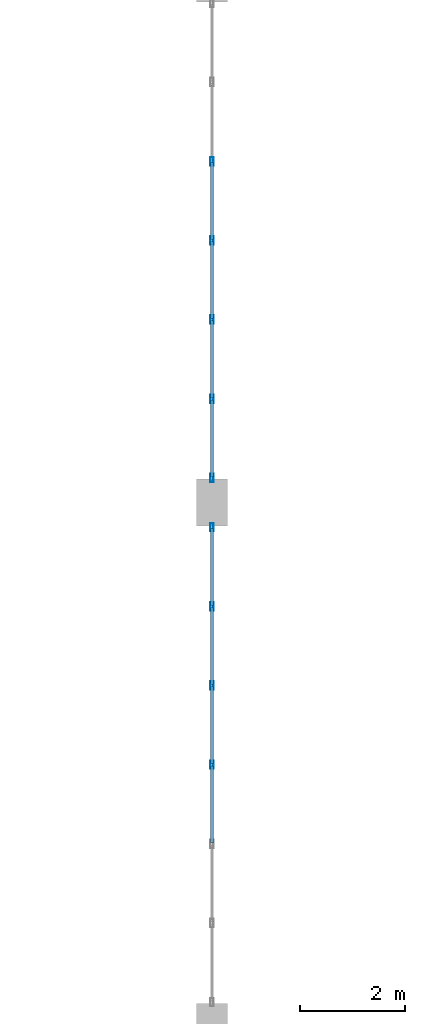
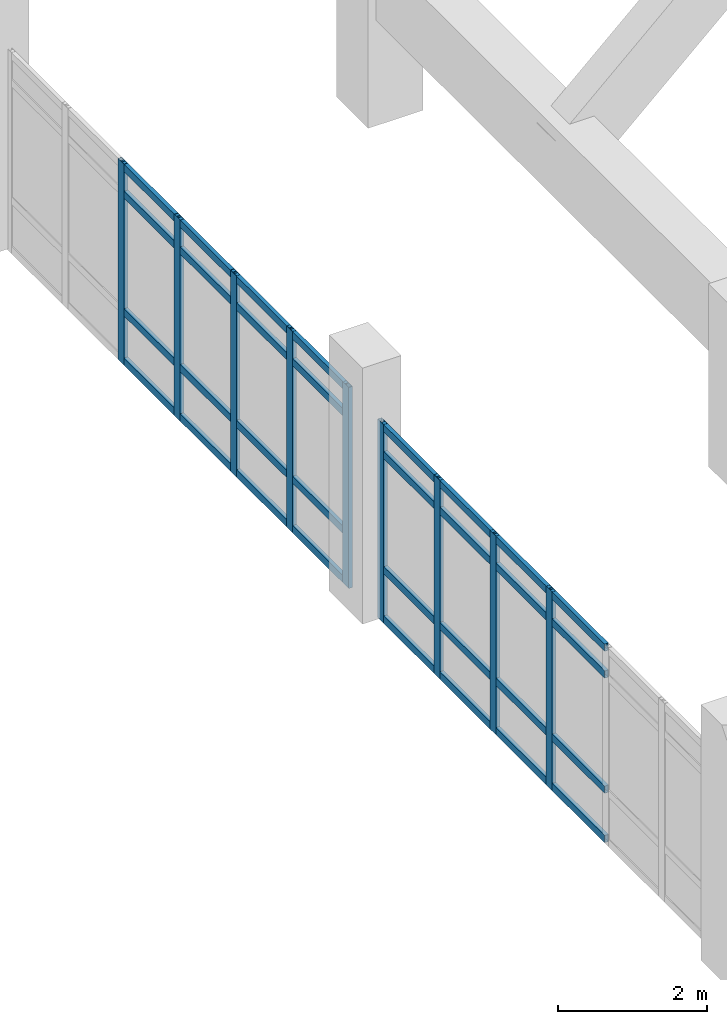
# One storey, part 15 of 111: 41 members, 2 elements without a shape of their own.
"""IFC4 building model written with IfcOpenShell, lengths in metres."""

from ifc_helpers import new_model, si_unit, direction, frame, origin, origin_2d, place, context, subcontext, project, spatial, hollow_rectangle, extrude, material, layer, layer_set, material_profile, profile_set, type_object, element, aggregate, save


model = new_model("IFC4")

# Units and contexts
model_context = context("Model", 3, precision=1e-05, world=origin(), true_north=direction((0.0, 1.0)))
body_context = subcontext(model_context, "Body", "Model", "MODEL_VIEW")
ifc_project = project(units=[si_unit("LENGTHUNIT", "METRE"), si_unit("AREAUNIT", "SQUARE_METRE"), si_unit("VOLUMEUNIT", "CUBIC_METRE"), si_unit("PLANEANGLEUNIT", "RADIAN"), si_unit("MASSUNIT", "GRAM", prefix="KILO")], contexts=[model_context])

# Site, building, storey
site_placement = place(None, origin())
site = spatial("IfcSite", under=ifc_project, at=site_placement, CompositionType="ELEMENT")
building_placement = place(site_placement, origin())
building = spatial("IfcBuilding", under=site, at=building_placement, Name="Mersad Railyard Sports Hall", CompositionType="ELEMENT")
storey_placement = place(building_placement, frame((0.0, 0.0, 9.0)))
storey = spatial("IfcBuildingStorey", under=building, at=storey_placement, Name="L02", CompositionType="ELEMENT", Elevation=9.0)

# Curtain wall, members
ifc_material = material(Name="Aluminium 6063-T6", Category="aluminium")
ifc_layer_1 = layer(ifc_material, 0.159912109375)
ifc_layer_set_1 = layer_set([ifc_layer_1], Name="Aluminium 6063-T6")
curtain_wall_type_1 = type_object("IfcCurtainWallType", Name="ARC-CW-CW16", PredefinedType="USERDEFINED", material=ifc_layer_set_1)
curtain_wall_1_placement = place(storey_placement, origin())
curtain_wall_1 = element("IfcCurtainWall", 1, at=curtain_wall_1_placement, inside=storey, type_object=curtain_wall_type_1, Name="Curtain wall CW16-0067", ObjectType="CURTAIN WALL", PredefinedType="USERDEFINED")
ifc_material_profile_1 = material_profile(ifc_material, hollow_rectangle(XDim=0.06005859375, YDim=0.159912109375, WallThickness=0.00390625, at=origin_2d()), Name="AL MULLION 60x160x4")
ifc_profile_set_1 = profile_set([ifc_material_profile_1], Name="Aluminium 6063-T6")
member_type_1 = type_object("IfcMemberType", Name="ARC-CW-MUL01", PredefinedType="MULLION", material=ifc_profile_set_1)
member_1_placement = place(storey_placement, frame((131.0, 18.5, -0.02001953125), z_axis=(0.0, 0.0, 1.0), x_axis=(1.0, 0.0, 0.0)))
member_1 = element("IfcMember", 2, at=member_1_placement, type_object=member_type_1, Name="CW16 Mullion 4", PredefinedType="MULLION", context=body_context, shape_type="SweptSolid", body=[
    extrude(hollow_rectangle(XDim=0.06005859375, YDim=0.159912109375, WallThickness=0.00390625, at=origin_2d()), origin(), (0.0, 0.0, 1.0), 3.260009765625),
])
member_2_placement = place(storey_placement, frame((131.0, 20.010009765625, -0.02001953125), z_axis=(0.0, 0.0, 1.0), x_axis=(1.0, 0.0, 0.0)))
member_2 = element("IfcMember", 3, at=member_2_placement, type_object=member_type_1, Name="CW16 Mullion 5", PredefinedType="MULLION", context=body_context, shape_type="SweptSolid", body=[
    extrude(hollow_rectangle(XDim=0.06005859375, YDim=0.159912109375, WallThickness=0.00390625, at=origin_2d()), origin(), (0.0, 0.0, 1.0), 3.260009765625),
])
member_3_placement = place(storey_placement, frame((131.0, 21.52001953125, -0.02001953125), z_axis=(0.0, 0.0, 1.0), x_axis=(1.0, 0.0, 0.0)))
member_3 = element("IfcMember", 4, at=member_3_placement, type_object=member_type_1, Name="CW16 Mullion 6", PredefinedType="MULLION", context=body_context, shape_type="SweptSolid", body=[
    extrude(hollow_rectangle(XDim=0.06005859375, YDim=0.159912109375, WallThickness=0.00390625, at=origin_2d()), origin(), (0.0, 0.0, 1.0), 3.260009765625),
])
member_4_placement = place(storey_placement, frame((131.0, 23.030029296875, -0.02001953125), z_axis=(0.0, 0.0, 1.0), x_axis=(1.0, 0.0, 0.0)))
member_4 = element("IfcMember", 5, at=member_4_placement, type_object=member_type_1, Name="CW16 Mullion 7", PredefinedType="MULLION", context=body_context, shape_type="SweptSolid", body=[
    extrude(hollow_rectangle(XDim=0.06005859375, YDim=0.159912109375, WallThickness=0.00390625, at=origin_2d()), origin(), (0.0, 0.0, 1.0), 3.260009765625),
])

ifc_layer_2 = layer(ifc_material, 0.159912109375)
ifc_layer_set_2 = layer_set([ifc_layer_2], Name="Aluminium 6063-T6")
curtain_wall_type_2 = type_object("IfcCurtainWallType", Name="ARC-CW-CW17", PredefinedType="USERDEFINED", material=ifc_layer_set_2)
curtain_wall_2_placement = place(storey_placement, origin())
curtain_wall_2 = element("IfcCurtainWall", 6, at=curtain_wall_2_placement, inside=storey, type_object=curtain_wall_type_2, Name="Curtain wall CW17-0069", ObjectType="CURTAIN WALL", PredefinedType="USERDEFINED")
member_5_placement = place(storey_placement, frame((131.0, 23.969970703125, -0.02001953125), z_axis=(0.0, 0.0, 1.0), x_axis=(1.0, 0.0, 0.0)))
member_5 = element("IfcMember", 7, at=member_5_placement, type_object=member_type_1, Name="CW17 Mullion 1", PredefinedType="MULLION", context=body_context, shape_type="SweptSolid", body=[
    extrude(hollow_rectangle(XDim=0.06005859375, YDim=0.159912109375, WallThickness=0.00390625, at=origin_2d()), origin(), (0.0, 0.0, 1.0), 3.300048828125),
])
member_6_placement = place(storey_placement, frame((131.0, 25.47998046875, -0.02001953125), z_axis=(0.0, 0.0, 1.0), x_axis=(1.0, 0.0, 0.0)))
member_6 = element("IfcMember", 8, at=member_6_placement, type_object=member_type_1, Name="CW17 Mullion 2", PredefinedType="MULLION", context=body_context, shape_type="SweptSolid", body=[
    extrude(hollow_rectangle(XDim=0.06005859375, YDim=0.159912109375, WallThickness=0.00390625, at=origin_2d()), origin(), (0.0, 0.0, 1.0), 3.300048828125),
])
member_7_placement = place(storey_placement, frame((131.0, 26.989990234375, -0.02001953125), z_axis=(0.0, 0.0, 1.0), x_axis=(1.0, 0.0, 0.0)))
member_7 = element("IfcMember", 9, at=member_7_placement, type_object=member_type_1, Name="CW17 Mullion 3", PredefinedType="MULLION", context=body_context, shape_type="SweptSolid", body=[
    extrude(hollow_rectangle(XDim=0.06005859375, YDim=0.159912109375, WallThickness=0.00390625, at=origin_2d()), origin(), (0.0, 0.0, 1.0), 3.300048828125),
])
member_8_placement = place(storey_placement, frame((131.0, 28.5, -0.02001953125), z_axis=(0.0, 0.0, 1.0), x_axis=(1.0, 0.0, 0.0)))
member_8 = element("IfcMember", 10, at=member_8_placement, type_object=member_type_1, Name="CW17 Mullion 4", PredefinedType="MULLION", context=body_context, shape_type="SweptSolid", body=[
    extrude(hollow_rectangle(XDim=0.06005859375, YDim=0.159912109375, WallThickness=0.00390625, at=origin_2d()), origin(), (0.0, 0.0, 1.0), 3.300048828125),
])
member_9_placement = place(storey_placement, frame((131.0, 30.010009765625, -0.02001953125), z_axis=(0.0, 0.0, 1.0), x_axis=(1.0, 0.0, 0.0)))
member_9 = element("IfcMember", 11, at=member_9_placement, type_object=member_type_1, Name="CW17 Mullion 5", PredefinedType="MULLION", context=body_context, shape_type="SweptSolid", body=[
    extrude(hollow_rectangle(XDim=0.06005859375, YDim=0.159912109375, WallThickness=0.00390625, at=origin_2d()), origin(), (0.0, 0.0, 1.0), 3.300048828125),
])

# Member
ifc_material_profile_2 = material_profile(ifc_material, hollow_rectangle(XDim=0.06005859375, YDim=0.1201171875, WallThickness=0.00390625, at=origin_2d()), Name="AL TRANSOM 60x120x4")
ifc_profile_set_2 = profile_set([ifc_material_profile_2], Name="Aluminium 6063-T6")
member_type_2 = type_object("IfcMemberType", Name="ARC-CW-TRN01", PredefinedType="USERDEFINED", material=ifc_profile_set_2)
member_10_placement = place(storey_placement, frame((131.0, 17.010009765625, 0.0400390625), z_axis=(0.0, 1.0, 0.0), x_axis=(-1.0, 0.0, 0.0)))
member_10 = element("IfcMember", 12, at=member_10_placement, type_object=member_type_2, Name="CW16 Transom 1-3", ObjectType="TRANSOM", PredefinedType="USERDEFINED", context=body_context, shape_type="SweptSolid", body=[
    extrude(hollow_rectangle(XDim=0.06005859375, YDim=0.1201171875, WallThickness=0.00390625, at=origin_2d()), origin(), (0.0, 0.0, 1.0), 1.469970703125),
])

member_11_placement = place(storey_placement, frame((131.0, 18.52001953125, 0.0400390625), z_axis=(0.0, 1.0, 0.0), x_axis=(-1.0, 0.0, 0.0)))
member_11 = element("IfcMember", 13, at=member_11_placement, type_object=member_type_2, Name="CW16 Transom 1-4", ObjectType="TRANSOM", PredefinedType="USERDEFINED", context=body_context, shape_type="SweptSolid", body=[
    extrude(hollow_rectangle(XDim=0.06005859375, YDim=0.1201171875, WallThickness=0.00390625, at=origin_2d()), origin(), (0.0, 0.0, 1.0), 1.469970703125),
])

member_12_placement = place(storey_placement, frame((131.0, 20.030029296875, 0.0400390625), z_axis=(0.0, 1.0, 0.0), x_axis=(-1.0, 0.0, 0.0)))
member_12 = element("IfcMember", 14, at=member_12_placement, type_object=member_type_2, Name="CW16 Transom 1-5", ObjectType="TRANSOM", PredefinedType="USERDEFINED", context=body_context, shape_type="SweptSolid", body=[
    extrude(hollow_rectangle(XDim=0.06005859375, YDim=0.1201171875, WallThickness=0.00390625, at=origin_2d()), origin(), (0.0, 0.0, 1.0), 1.469970703125),
])

member_13_placement = place(storey_placement, frame((131.0, 21.5400390625, 0.0400390625), z_axis=(0.0, 1.0, 0.0), x_axis=(-1.0, 0.0, 0.0)))
member_13 = element("IfcMember", 15, at=member_13_placement, type_object=member_type_2, Name="CW16 Transom 1-6", ObjectType="TRANSOM", PredefinedType="USERDEFINED", context=body_context, shape_type="SweptSolid", body=[
    extrude(hollow_rectangle(XDim=0.06005859375, YDim=0.1201171875, WallThickness=0.00390625, at=origin_2d()), origin(), (0.0, 0.0, 1.0), 1.469970703125),
])

member_14_placement = place(storey_placement, frame((131.0, 17.010009765625, 0.85009765625), z_axis=(0.0, 1.0, 0.0), x_axis=(-1.0, 0.0, 0.0)))
member_14 = element("IfcMember", 16, at=member_14_placement, type_object=member_type_2, Name="CW16 Transom 2-3", ObjectType="TRANSOM", PredefinedType="USERDEFINED", context=body_context, shape_type="SweptSolid", body=[
    extrude(hollow_rectangle(XDim=0.06005859375, YDim=0.1201171875, WallThickness=0.00390625, at=origin_2d()), origin(), (0.0, 0.0, 1.0), 1.469970703125),
])

member_15_placement = place(storey_placement, frame((131.0, 18.52001953125, 0.85009765625), z_axis=(0.0, 1.0, 0.0), x_axis=(-1.0, 0.0, 0.0)))
member_15 = element("IfcMember", 17, at=member_15_placement, type_object=member_type_2, Name="CW16 Transom 2-4", ObjectType="TRANSOM", PredefinedType="USERDEFINED", context=body_context, shape_type="SweptSolid", body=[
    extrude(hollow_rectangle(XDim=0.06005859375, YDim=0.1201171875, WallThickness=0.00390625, at=origin_2d()), origin(), (0.0, 0.0, 1.0), 1.469970703125),
])

member_16_placement = place(storey_placement, frame((131.0, 20.030029296875, 0.85009765625), z_axis=(0.0, 1.0, 0.0), x_axis=(-1.0, 0.0, 0.0)))
member_16 = element("IfcMember", 18, at=member_16_placement, type_object=member_type_2, Name="CW16 Transom 2-5", ObjectType="TRANSOM", PredefinedType="USERDEFINED", context=body_context, shape_type="SweptSolid", body=[
    extrude(hollow_rectangle(XDim=0.06005859375, YDim=0.1201171875, WallThickness=0.00390625, at=origin_2d()), origin(), (0.0, 0.0, 1.0), 1.469970703125),
])

member_17_placement = place(storey_placement, frame((131.0, 21.5400390625, 0.85009765625), z_axis=(0.0, 1.0, 0.0), x_axis=(-1.0, 0.0, 0.0)))
member_17 = element("IfcMember", 19, at=member_17_placement, type_object=member_type_2, Name="CW16 Transom 2-6", ObjectType="TRANSOM", PredefinedType="USERDEFINED", context=body_context, shape_type="SweptSolid", body=[
    extrude(hollow_rectangle(XDim=0.06005859375, YDim=0.1201171875, WallThickness=0.00390625, at=origin_2d()), origin(), (0.0, 0.0, 1.0), 1.469970703125),
])

member_18_placement = place(storey_placement, frame((131.0, 17.010009765625, 2.739990234375), z_axis=(0.0, 1.0, 0.0), x_axis=(-1.0, 0.0, 0.0)))
member_18 = element("IfcMember", 20, at=member_18_placement, type_object=member_type_2, Name="CW16 Transom 3-3", ObjectType="TRANSOM", PredefinedType="USERDEFINED", context=body_context, shape_type="SweptSolid", body=[
    extrude(hollow_rectangle(XDim=0.06005859375, YDim=0.1201171875, WallThickness=0.00390625, at=origin_2d()), origin(), (0.0, 0.0, 1.0), 1.469970703125),
])

member_19_placement = place(storey_placement, frame((131.0, 18.52001953125, 2.739990234375), z_axis=(0.0, 1.0, 0.0), x_axis=(-1.0, 0.0, 0.0)))
member_19 = element("IfcMember", 21, at=member_19_placement, type_object=member_type_2, Name="CW16 Transom 3-4", ObjectType="TRANSOM", PredefinedType="USERDEFINED", context=body_context, shape_type="SweptSolid", body=[
    extrude(hollow_rectangle(XDim=0.06005859375, YDim=0.1201171875, WallThickness=0.00390625, at=origin_2d()), origin(), (0.0, 0.0, 1.0), 1.469970703125),
])

member_20_placement = place(storey_placement, frame((131.0, 20.030029296875, 2.739990234375), z_axis=(0.0, 1.0, 0.0), x_axis=(-1.0, 0.0, 0.0)))
member_20 = element("IfcMember", 22, at=member_20_placement, type_object=member_type_2, Name="CW16 Transom 3-5", ObjectType="TRANSOM", PredefinedType="USERDEFINED", context=body_context, shape_type="SweptSolid", body=[
    extrude(hollow_rectangle(XDim=0.06005859375, YDim=0.1201171875, WallThickness=0.00390625, at=origin_2d()), origin(), (0.0, 0.0, 1.0), 1.469970703125),
])

member_21_placement = place(storey_placement, frame((131.0, 21.5400390625, 2.739990234375), z_axis=(0.0, 1.0, 0.0), x_axis=(-1.0, 0.0, 0.0)))
member_21 = element("IfcMember", 23, at=member_21_placement, type_object=member_type_2, Name="CW16 Transom 3-6", ObjectType="TRANSOM", PredefinedType="USERDEFINED", context=body_context, shape_type="SweptSolid", body=[
    extrude(hollow_rectangle(XDim=0.06005859375, YDim=0.1201171875, WallThickness=0.00390625, at=origin_2d()), origin(), (0.0, 0.0, 1.0), 1.469970703125),
])

member_22_placement = place(storey_placement, frame((131.0, 17.010009765625, 3.179931640625), z_axis=(0.0, 1.0, 0.0), x_axis=(-1.0, 0.0, 0.0)))
member_22 = element("IfcMember", 24, at=member_22_placement, type_object=member_type_2, Name="CW16 Transom 4-3", ObjectType="TRANSOM", PredefinedType="USERDEFINED", context=body_context, shape_type="SweptSolid", body=[
    extrude(hollow_rectangle(XDim=0.06005859375, YDim=0.1201171875, WallThickness=0.00390625, at=origin_2d()), origin(), (0.0, 0.0, 1.0), 1.469970703125),
])

member_23_placement = place(storey_placement, frame((131.0, 18.52001953125, 3.179931640625), z_axis=(0.0, 1.0, 0.0), x_axis=(-1.0, 0.0, 0.0)))
member_23 = element("IfcMember", 25, at=member_23_placement, type_object=member_type_2, Name="CW16 Transom 4-4", ObjectType="TRANSOM", PredefinedType="USERDEFINED", context=body_context, shape_type="SweptSolid", body=[
    extrude(hollow_rectangle(XDim=0.06005859375, YDim=0.1201171875, WallThickness=0.00390625, at=origin_2d()), origin(), (0.0, 0.0, 1.0), 1.469970703125),
])

member_24_placement = place(storey_placement, frame((131.0, 20.030029296875, 3.179931640625), z_axis=(0.0, 1.0, 0.0), x_axis=(-1.0, 0.0, 0.0)))
member_24 = element("IfcMember", 26, at=member_24_placement, type_object=member_type_2, Name="CW16 Transom 4-5", ObjectType="TRANSOM", PredefinedType="USERDEFINED", context=body_context, shape_type="SweptSolid", body=[
    extrude(hollow_rectangle(XDim=0.06005859375, YDim=0.1201171875, WallThickness=0.00390625, at=origin_2d()), origin(), (0.0, 0.0, 1.0), 1.469970703125),
])

member_25_placement = place(storey_placement, frame((131.0, 21.5400390625, 3.179931640625), z_axis=(0.0, 1.0, 0.0), x_axis=(-1.0, 0.0, 0.0)))
member_25 = element("IfcMember", 27, at=member_25_placement, type_object=member_type_2, Name="CW16 Transom 4-6", ObjectType="TRANSOM", PredefinedType="USERDEFINED", context=body_context, shape_type="SweptSolid", body=[
    extrude(hollow_rectangle(XDim=0.06005859375, YDim=0.1201171875, WallThickness=0.00390625, at=origin_2d()), origin(), (0.0, 0.0, 1.0), 1.469970703125),
])

aggregate(curtain_wall_1, [member_1, member_2, member_3, member_4, member_10, member_11, member_12, member_13, member_14, member_15, member_16, member_17, member_18, member_19, member_20, member_21, member_22, member_23, member_24, member_25])

member_26_placement = place(storey_placement, frame((131.0, 23.989990234375, 0.0400390625), z_axis=(0.0, 1.0, 0.0), x_axis=(-1.0, 0.0, 0.0)))
member_26 = element("IfcMember", 28, at=member_26_placement, type_object=member_type_2, Name="CW17 Transom 1-1", ObjectType="TRANSOM", PredefinedType="USERDEFINED", context=body_context, shape_type="SweptSolid", body=[
    extrude(hollow_rectangle(XDim=0.06005859375, YDim=0.1201171875, WallThickness=0.00390625, at=origin_2d()), origin(), (0.0, 0.0, 1.0), 1.469970703125),
])

member_27_placement = place(storey_placement, frame((131.0, 25.5, 0.0400390625), z_axis=(0.0, 1.0, 0.0), x_axis=(-1.0, 0.0, 0.0)))
member_27 = element("IfcMember", 29, at=member_27_placement, type_object=member_type_2, Name="CW17 Transom 1-2", ObjectType="TRANSOM", PredefinedType="USERDEFINED", context=body_context, shape_type="SweptSolid", body=[
    extrude(hollow_rectangle(XDim=0.06005859375, YDim=0.1201171875, WallThickness=0.00390625, at=origin_2d()), origin(), (0.0, 0.0, 1.0), 1.469970703125),
])

member_28_placement = place(storey_placement, frame((131.0, 27.010009765625, 0.0400390625), z_axis=(0.0, 1.0, 0.0), x_axis=(-1.0, 0.0, 0.0)))
member_28 = element("IfcMember", 30, at=member_28_placement, type_object=member_type_2, Name="CW17 Transom 1-3", ObjectType="TRANSOM", PredefinedType="USERDEFINED", context=body_context, shape_type="SweptSolid", body=[
    extrude(hollow_rectangle(XDim=0.06005859375, YDim=0.1201171875, WallThickness=0.00390625, at=origin_2d()), origin(), (0.0, 0.0, 1.0), 1.469970703125),
])

member_29_placement = place(storey_placement, frame((131.0, 28.52001953125, 0.0400390625), z_axis=(0.0, 1.0, 0.0), x_axis=(-1.0, 0.0, 0.0)))
member_29 = element("IfcMember", 31, at=member_29_placement, type_object=member_type_2, Name="CW17 Transom 1-4", ObjectType="TRANSOM", PredefinedType="USERDEFINED", context=body_context, shape_type="SweptSolid", body=[
    extrude(hollow_rectangle(XDim=0.06005859375, YDim=0.1201171875, WallThickness=0.00390625, at=origin_2d()), origin(), (0.0, 0.0, 1.0), 1.469970703125),
])

member_30_placement = place(storey_placement, frame((131.0, 23.989990234375, 0.85009765625), z_axis=(0.0, 1.0, 0.0), x_axis=(-1.0, 0.0, 0.0)))
member_30 = element("IfcMember", 32, at=member_30_placement, type_object=member_type_2, Name="CW17 Transom 2-1", ObjectType="TRANSOM", PredefinedType="USERDEFINED", context=body_context, shape_type="SweptSolid", body=[
    extrude(hollow_rectangle(XDim=0.06005859375, YDim=0.1201171875, WallThickness=0.00390625, at=origin_2d()), origin(), (0.0, 0.0, 1.0), 1.469970703125),
])

member_31_placement = place(storey_placement, frame((131.0, 25.5, 0.85009765625), z_axis=(0.0, 1.0, 0.0), x_axis=(-1.0, 0.0, 0.0)))
member_31 = element("IfcMember", 33, at=member_31_placement, type_object=member_type_2, Name="CW17 Transom 2-2", ObjectType="TRANSOM", PredefinedType="USERDEFINED", context=body_context, shape_type="SweptSolid", body=[
    extrude(hollow_rectangle(XDim=0.06005859375, YDim=0.1201171875, WallThickness=0.00390625, at=origin_2d()), origin(), (0.0, 0.0, 1.0), 1.469970703125),
])

member_32_placement = place(storey_placement, frame((131.0, 27.010009765625, 0.85009765625), z_axis=(0.0, 1.0, 0.0), x_axis=(-1.0, 0.0, 0.0)))
member_32 = element("IfcMember", 34, at=member_32_placement, type_object=member_type_2, Name="CW17 Transom 2-3", ObjectType="TRANSOM", PredefinedType="USERDEFINED", context=body_context, shape_type="SweptSolid", body=[
    extrude(hollow_rectangle(XDim=0.06005859375, YDim=0.1201171875, WallThickness=0.00390625, at=origin_2d()), origin(), (0.0, 0.0, 1.0), 1.469970703125),
])

member_33_placement = place(storey_placement, frame((131.0, 28.52001953125, 0.85009765625), z_axis=(0.0, 1.0, 0.0), x_axis=(-1.0, 0.0, 0.0)))
member_33 = element("IfcMember", 35, at=member_33_placement, type_object=member_type_2, Name="CW17 Transom 2-4", ObjectType="TRANSOM", PredefinedType="USERDEFINED", context=body_context, shape_type="SweptSolid", body=[
    extrude(hollow_rectangle(XDim=0.06005859375, YDim=0.1201171875, WallThickness=0.00390625, at=origin_2d()), origin(), (0.0, 0.0, 1.0), 1.469970703125),
])

member_34_placement = place(storey_placement, frame((131.0, 23.989990234375, 2.780029296875), z_axis=(0.0, 1.0, 0.0), x_axis=(-1.0, 0.0, 0.0)))
member_34 = element("IfcMember", 36, at=member_34_placement, type_object=member_type_2, Name="CW17 Transom 3-1", ObjectType="TRANSOM", PredefinedType="USERDEFINED", context=body_context, shape_type="SweptSolid", body=[
    extrude(hollow_rectangle(XDim=0.06005859375, YDim=0.1201171875, WallThickness=0.00390625, at=origin_2d()), origin(), (0.0, 0.0, 1.0), 1.469970703125),
])

member_35_placement = place(storey_placement, frame((131.0, 25.5, 2.780029296875), z_axis=(0.0, 1.0, 0.0), x_axis=(-1.0, 0.0, 0.0)))
member_35 = element("IfcMember", 37, at=member_35_placement, type_object=member_type_2, Name="CW17 Transom 3-2", ObjectType="TRANSOM", PredefinedType="USERDEFINED", context=body_context, shape_type="SweptSolid", body=[
    extrude(hollow_rectangle(XDim=0.06005859375, YDim=0.1201171875, WallThickness=0.00390625, at=origin_2d()), origin(), (0.0, 0.0, 1.0), 1.469970703125),
])

member_36_placement = place(storey_placement, frame((131.0, 27.010009765625, 2.780029296875), z_axis=(0.0, 1.0, 0.0), x_axis=(-1.0, 0.0, 0.0)))
member_36 = element("IfcMember", 38, at=member_36_placement, type_object=member_type_2, Name="CW17 Transom 3-3", ObjectType="TRANSOM", PredefinedType="USERDEFINED", context=body_context, shape_type="SweptSolid", body=[
    extrude(hollow_rectangle(XDim=0.06005859375, YDim=0.1201171875, WallThickness=0.00390625, at=origin_2d()), origin(), (0.0, 0.0, 1.0), 1.469970703125),
])

member_37_placement = place(storey_placement, frame((131.0, 28.52001953125, 2.780029296875), z_axis=(0.0, 1.0, 0.0), x_axis=(-1.0, 0.0, 0.0)))
member_37 = element("IfcMember", 39, at=member_37_placement, type_object=member_type_2, Name="CW17 Transom 3-4", ObjectType="TRANSOM", PredefinedType="USERDEFINED", context=body_context, shape_type="SweptSolid", body=[
    extrude(hollow_rectangle(XDim=0.06005859375, YDim=0.1201171875, WallThickness=0.00390625, at=origin_2d()), origin(), (0.0, 0.0, 1.0), 1.469970703125),
])

member_38_placement = place(storey_placement, frame((131.0, 23.989990234375, 3.219970703125), z_axis=(0.0, 1.0, 0.0), x_axis=(-1.0, 0.0, 0.0)))
member_38 = element("IfcMember", 40, at=member_38_placement, type_object=member_type_2, Name="CW17 Transom 4-1", ObjectType="TRANSOM", PredefinedType="USERDEFINED", context=body_context, shape_type="SweptSolid", body=[
    extrude(hollow_rectangle(XDim=0.06005859375, YDim=0.1201171875, WallThickness=0.00390625, at=origin_2d()), origin(), (0.0, 0.0, 1.0), 1.469970703125),
])

member_39_placement = place(storey_placement, frame((131.0, 25.5, 3.219970703125), z_axis=(0.0, 1.0, 0.0), x_axis=(-1.0, 0.0, 0.0)))
member_39 = element("IfcMember", 41, at=member_39_placement, type_object=member_type_2, Name="CW17 Transom 4-2", ObjectType="TRANSOM", PredefinedType="USERDEFINED", context=body_context, shape_type="SweptSolid", body=[
    extrude(hollow_rectangle(XDim=0.06005859375, YDim=0.1201171875, WallThickness=0.00390625, at=origin_2d()), origin(), (0.0, 0.0, 1.0), 1.469970703125),
])

member_40_placement = place(storey_placement, frame((131.0, 27.010009765625, 3.219970703125), z_axis=(0.0, 1.0, 0.0), x_axis=(-1.0, 0.0, 0.0)))
member_40 = element("IfcMember", 42, at=member_40_placement, type_object=member_type_2, Name="CW17 Transom 4-3", ObjectType="TRANSOM", PredefinedType="USERDEFINED", context=body_context, shape_type="SweptSolid", body=[
    extrude(hollow_rectangle(XDim=0.06005859375, YDim=0.1201171875, WallThickness=0.00390625, at=origin_2d()), origin(), (0.0, 0.0, 1.0), 1.469970703125),
])

member_41_placement = place(storey_placement, frame((131.0, 28.52001953125, 3.219970703125), z_axis=(0.0, 1.0, 0.0), x_axis=(-1.0, 0.0, 0.0)))
member_41 = element("IfcMember", 43, at=member_41_placement, type_object=member_type_2, Name="CW17 Transom 4-4", ObjectType="TRANSOM", PredefinedType="USERDEFINED", context=body_context, shape_type="SweptSolid", body=[
    extrude(hollow_rectangle(XDim=0.06005859375, YDim=0.1201171875, WallThickness=0.00390625, at=origin_2d()), origin(), (0.0, 0.0, 1.0), 1.469970703125),
])

aggregate(curtain_wall_2, [member_5, member_6, member_7, member_8, member_9, member_26, member_27, member_28, member_29, member_30, member_31, member_32, member_33, member_34, member_35, member_36, member_37, member_38, member_39, member_40, member_41])

save(model, "model.ifc")
